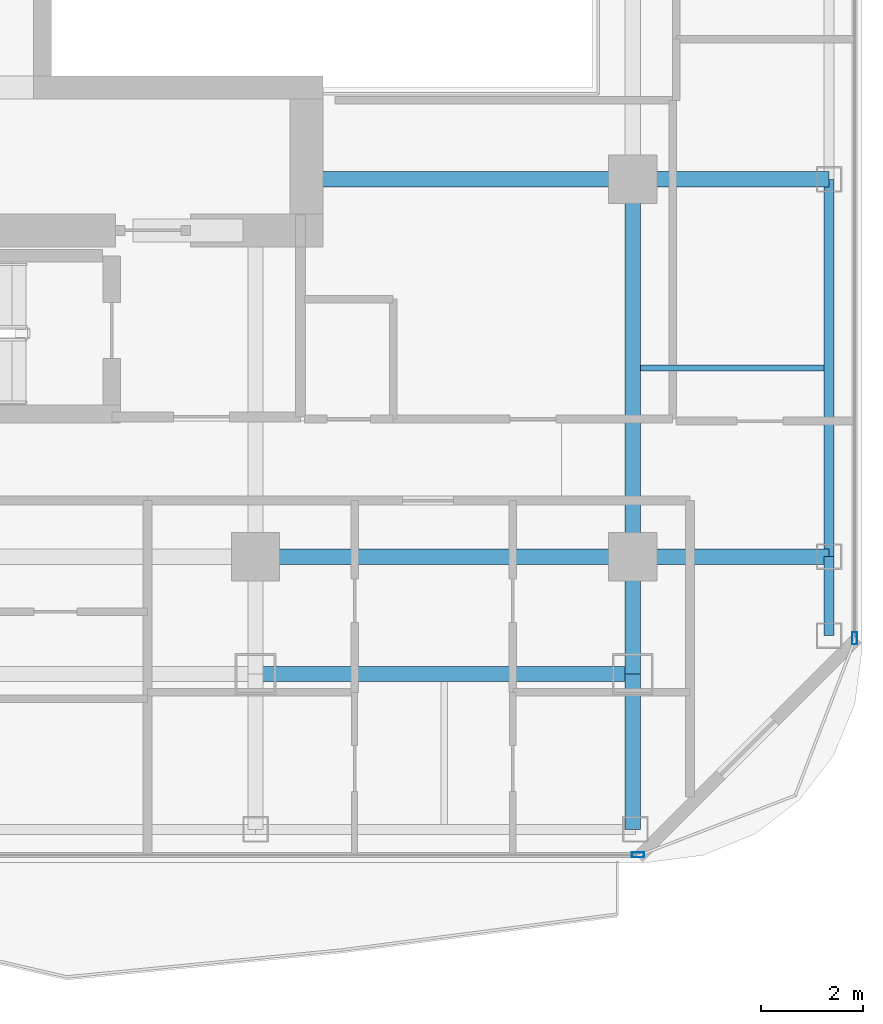
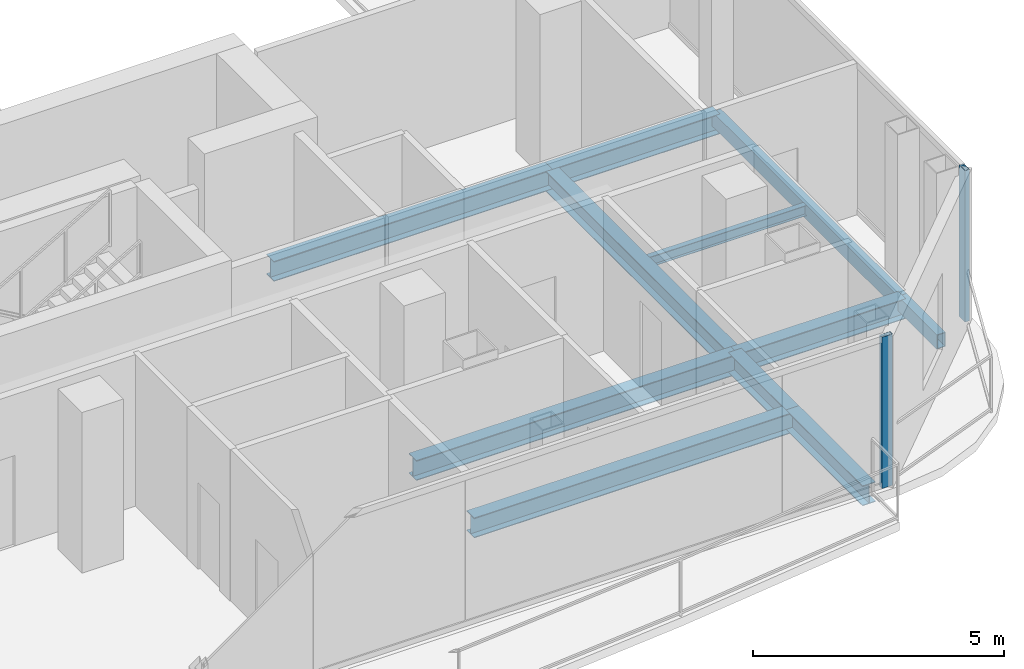
# One storey, part 8 of 23: 11 beams, 2 members, 2 elements without a shape of their own.
"""IFC4 building model written with IfcOpenShell, lengths in metres."""

from ifc_helpers import new_model, si_unit, direction, frame, origin, origin_2d, place, context, subcontext, project, spatial, hollow_rectangle, i_section, extrude, material, layer, layer_set, material_profile, profile_set, type_object, element, aggregate, save


model = new_model("IFC4")

# Units and contexts
model_context = context("Model", 3, precision=1e-05, world=origin(), true_north=direction((0.0, 1.0)))
body_context = subcontext(model_context, "Body", "Model", "MODEL_VIEW")
ifc_project = project(units=[si_unit("LENGTHUNIT", "METRE"), si_unit("AREAUNIT", "SQUARE_METRE"), si_unit("VOLUMEUNIT", "CUBIC_METRE"), si_unit("PLANEANGLEUNIT", "RADIAN"), si_unit("MASSUNIT", "GRAM", prefix="KILO")], contexts=[model_context])

# Site, building, storey
site_placement = place(None, origin())
site = spatial("IfcSite", under=ifc_project, at=site_placement, CompositionType="ELEMENT")
building_placement = place(site_placement, origin())
building = spatial("IfcBuilding", under=site, at=building_placement, Name="Khorvyn Point Tower", CompositionType="ELEMENT")
storey_placement = place(building_placement, frame((0.0, 0.0, 293.699951171875)))
storey = spatial("IfcBuildingStorey", under=building, at=storey_placement, Name="L72", CompositionType="ELEMENT", Elevation=293.699951171875)

# Curtain wall, member
ifc_material_1 = material(Name="Anodised aluminium 6063-T6 and laminated Low-E glass", Category="aluminium")
ifc_layer = layer(ifc_material_1, 0.18994140625)
ifc_layer_set = layer_set([ifc_layer], Name="Stick-Built High-Wind Curtain Wall CW-SYS-04")
curtain_wall_type = type_object("IfcCurtainWallType", Name="Stick-Built High-Wind Curtain Wall CW-SYS-04", PredefinedType="NOTDEFINED", material=ifc_layer_set)
curtain_wall_1_placement = place(storey_placement, origin())
curtain_wall_1 = element("IfcCurtainWall", 1, at=curtain_wall_1_placement, inside=storey, type_object=curtain_wall_type, Name="Curtain Wall", PredefinedType="NOTDEFINED")
ifc_material_2 = material(Name="Anodised aluminium 6063-T6", Category="aluminium")
ifc_material_profile_1 = material_profile(ifc_material_2, hollow_rectangle(XDim=0.10009765625, YDim=0.239990234375, WallThickness=0.0048828125, at=origin_2d()))
ifc_profile_set_1 = profile_set([ifc_material_profile_1], Name="Anodised aluminium 6063-T6 ALU-MUL-100x240")
member_type = type_object("IfcMemberType", Name="Anodised Aluminium 6063-T6 Mullion ALU-MUL-100x240", PredefinedType="MULLION", material=ifc_profile_set_1)
member_1_placement = place(storey_placement, frame((14.89990234375, -20.64990234375, 0.0), z_axis=(0.0, 0.0, 1.0), x_axis=(0.0, -1.0, 0.0)))
member_1 = element("IfcMember", 2, at=member_1_placement, type_object=member_type, Name="Transom", PredefinedType="MULLION", context=body_context, shape_type="SweptSolid", body=[
    extrude(hollow_rectangle(XDim=0.10009765625, YDim=0.239990234375, WallThickness=0.0048828125, at=origin_2d()), origin(), (0.0, 0.0, 1.0), 3.679931640625),
])
aggregate(curtain_wall_1, [member_1])

curtain_wall_2_placement = place(storey_placement, origin())
curtain_wall_2 = element("IfcCurtainWall", 3, at=curtain_wall_2_placement, inside=storey, type_object=curtain_wall_type, Name="Curtain Wall", PredefinedType="NOTDEFINED")
member_2_placement = place(storey_placement, frame((19.14990234375, -16.39990234375, 0.0), z_axis=(0.0, 0.0, 1.0), x_axis=(1.0, 0.0, 0.0)))
member_2 = element("IfcMember", 4, at=member_2_placement, type_object=member_type, Name="Transom", PredefinedType="MULLION", context=body_context, shape_type="SweptSolid", body=[
    extrude(hollow_rectangle(XDim=0.10009765625, YDim=0.239990234375, WallThickness=0.0048828125, at=origin_2d()), origin(), (0.0, 0.0, 1.0), 3.679931640625),
])
aggregate(curtain_wall_2, [member_2])

# Beams
ifc_material_3 = material(Name="Steel S355", Category="steel")
ifc_material_profile_2 = material_profile(ifc_material_3, i_section(OverallWidth=0.125, OverallDepth=0.25, WebThickness=0.006103515625, FlangeThickness=0.009033203125, at=origin_2d()))
ifc_profile_set_2 = profile_set([ifc_material_profile_2], Name="Steel S355 H250x125x6x9")
beam_type_1 = type_object("IfcBeamType", Name="Steel S355 Joist H250x125x6x9", PredefinedType="JOIST", material=ifc_profile_set_2)
beam_1_placement = place(storey_placement, frame((14.949951171875, -11.10009765625, -0.344970703125), z_axis=(1.0, 0.0, 0.0), x_axis=(0.0, 1.0, 0.0)))
element("IfcBeam", 5, at=beam_1_placement, inside=storey, type_object=beam_type_1, Name="Beam", PredefinedType="JOIST", context=body_context, shape_type="SweptSolid", body=[
    extrude(i_section(OverallWidth=0.125, OverallDepth=0.25, WebThickness=0.006103515625, FlangeThickness=0.009033203125, at=origin_2d()), origin(), (0.0, 0.0, 1.0), 3.60009765625),
])
ifc_material_profile_3 = material_profile(ifc_material_3, i_section(OverallWidth=0.300048828125, OverallDepth=0.488037109375, WebThickness=0.010986328125, FlangeThickness=0.01806640625, at=origin_2d()))
ifc_profile_set_3 = profile_set([ifc_material_profile_3], Name="Steel S355 H488x300x11x18")
beam_type_2 = type_object("IfcBeamType", Name="Steel S355 Spandrel H488x300x11x18", PredefinedType="SPANDREL", material=ifc_profile_set_3)
beam_2_placement = place(storey_placement, frame((7.39990234375, -14.800048828125, -0.4638671875), z_axis=(1.0, 0.0, 0.0), x_axis=(0.0, 1.0, 0.0)))
element("IfcBeam", 6, at=beam_2_placement, inside=storey, type_object=beam_type_2, Name="Beam", PredefinedType="SPANDREL", context=body_context, shape_type="SweptSolid", body=[
    extrude(i_section(OverallWidth=0.300048828125, OverallDepth=0.488037109375, WebThickness=0.010986328125, FlangeThickness=0.01806640625, at=origin_2d()), origin(), (0.0, 0.0, 1.0), 7.400146484375),
])
beam_3_placement = place(storey_placement, frame((14.800048828125, -14.800048828125, -0.4638671875), z_axis=(1.0, 0.0, 0.0), x_axis=(0.0, 1.0, 0.0)))
element("IfcBeam", 7, at=beam_3_placement, inside=storey, type_object=beam_type_2, Name="Beam", PredefinedType="SPANDREL", context=body_context, shape_type="SweptSolid", body=[
    extrude(i_section(OverallWidth=0.300048828125, OverallDepth=0.488037109375, WebThickness=0.010986328125, FlangeThickness=0.01806640625, at=origin_2d()), origin(), (0.0, 0.0, 1.0), 3.849853515625),
])
beam_4_placement = place(storey_placement, frame((8.39990234375, -7.39990234375, -0.4638671875), z_axis=(1.0, 0.0, 0.0), x_axis=(0.0, 1.0, 0.0)))
element("IfcBeam", 8, at=beam_4_placement, inside=storey, type_object=beam_type_2, Name="Beam", PredefinedType="SPANDREL", context=body_context, shape_type="SweptSolid", body=[
    extrude(i_section(OverallWidth=0.300048828125, OverallDepth=0.488037109375, WebThickness=0.010986328125, FlangeThickness=0.01806640625, at=origin_2d()), origin(), (0.0, 0.0, 1.0), 6.400146484375),
])
beam_5_placement = place(storey_placement, frame((14.800048828125, -7.39990234375, -0.4638671875), z_axis=(1.0, 0.0, 0.0), x_axis=(0.0, 1.0, 0.0)))
element("IfcBeam", 9, at=beam_5_placement, inside=storey, type_object=beam_type_2, Name="Beam", PredefinedType="SPANDREL", context=body_context, shape_type="SweptSolid", body=[
    extrude(i_section(OverallWidth=0.300048828125, OverallDepth=0.488037109375, WebThickness=0.010986328125, FlangeThickness=0.01806640625, at=origin_2d()), origin(), (0.0, 0.0, 1.0), 3.849853515625),
])
beam_6_placement = place(storey_placement, frame((7.39990234375, -17.10009765625, -0.4638671875), z_axis=(1.0, 0.0, 0.0), x_axis=(0.0, 1.0, 0.0)))
element("IfcBeam", 10, at=beam_6_placement, inside=storey, type_object=beam_type_2, Name="Beam", PredefinedType="SPANDREL", context=body_context, shape_type="SweptSolid", body=[
    extrude(i_section(OverallWidth=0.300048828125, OverallDepth=0.488037109375, WebThickness=0.010986328125, FlangeThickness=0.01806640625, at=origin_2d()), origin(), (0.0, 0.0, 1.0), 7.400146484375),
])
beam_7_placement = place(storey_placement, frame((14.800048828125, -20.14990234375, -0.4638671875), z_axis=(0.0, 1.0, 0.0), x_axis=(-1.0, 0.0, 0.0)))
element("IfcBeam", 11, at=beam_7_placement, inside=storey, type_object=beam_type_2, Name="Beam", PredefinedType="SPANDREL", context=body_context, shape_type="SweptSolid", body=[
    extrude(i_section(OverallWidth=0.300048828125, OverallDepth=0.488037109375, WebThickness=0.010986328125, FlangeThickness=0.01806640625, at=origin_2d()), origin(), (0.0, 0.0, 1.0), 3.0498046875),
])
beam_8_placement = place(storey_placement, frame((14.800048828125, -17.10009765625, -0.4638671875), z_axis=(0.0, 1.0, 0.0), x_axis=(-1.0, 0.0, 0.0)))
element("IfcBeam", 12, at=beam_8_placement, inside=storey, type_object=beam_type_2, Name="Beam", PredefinedType="SPANDREL", context=body_context, shape_type="SweptSolid", body=[
    extrude(i_section(OverallWidth=0.300048828125, OverallDepth=0.488037109375, WebThickness=0.010986328125, FlangeThickness=0.01806640625, at=origin_2d()), origin(), (0.0, 0.0, 1.0), 2.300048828125),
])
beam_9_placement = place(storey_placement, frame((14.800048828125, -14.800048828125, -0.4638671875), z_axis=(0.0, 1.0, 0.0), x_axis=(-1.0, 0.0, 0.0)))
element("IfcBeam", 13, at=beam_9_placement, inside=storey, type_object=beam_type_2, Name="Beam", PredefinedType="SPANDREL", context=body_context, shape_type="SweptSolid", body=[
    extrude(i_section(OverallWidth=0.300048828125, OverallDepth=0.488037109375, WebThickness=0.010986328125, FlangeThickness=0.01806640625, at=origin_2d()), origin(), (0.0, 0.0, 1.0), 7.400146484375),
])
ifc_material_profile_4 = material_profile(ifc_material_3, hollow_rectangle(XDim=0.199951171875, YDim=0.35009765625, WallThickness=0.013916015625, at=origin_2d()))
ifc_profile_set_4 = profile_set([ifc_material_profile_4], Name="Steel S355 RHS350x200x14")
beam_type_3 = type_object("IfcBeamType", Name="Steel S355 Spandrel RHS350x200x14", PredefinedType="SPANDREL", material=ifc_profile_set_4)
beam_10_placement = place(storey_placement, frame((18.64990234375, -16.35009765625, -0.39501953125), z_axis=(0.0, 1.0, 0.0), x_axis=(-1.0, 0.0, 0.0)))
element("IfcBeam", 14, at=beam_10_placement, inside=storey, type_object=beam_type_3, Name="Beam", PredefinedType="SPANDREL", context=body_context, shape_type="SweptSolid", body=[
    extrude(hollow_rectangle(XDim=0.199951171875, YDim=0.35009765625, WallThickness=0.013916015625, at=origin_2d()), origin(), (0.0, 0.0, 1.0), 1.550048828125),
])
beam_11_placement = place(storey_placement, frame((18.64990234375, -14.800048828125, -0.39501953125), z_axis=(0.0, 1.0, 0.0), x_axis=(-1.0, 0.0, 0.0)))
element("IfcBeam", 15, at=beam_11_placement, inside=storey, type_object=beam_type_3, Name="Beam", PredefinedType="SPANDREL", context=body_context, shape_type="SweptSolid", body=[
    extrude(hollow_rectangle(XDim=0.199951171875, YDim=0.35009765625, WallThickness=0.013916015625, at=origin_2d()), origin(), (0.0, 0.0, 1.0), 7.400146484375),
])

save(model, "model.ifc")
